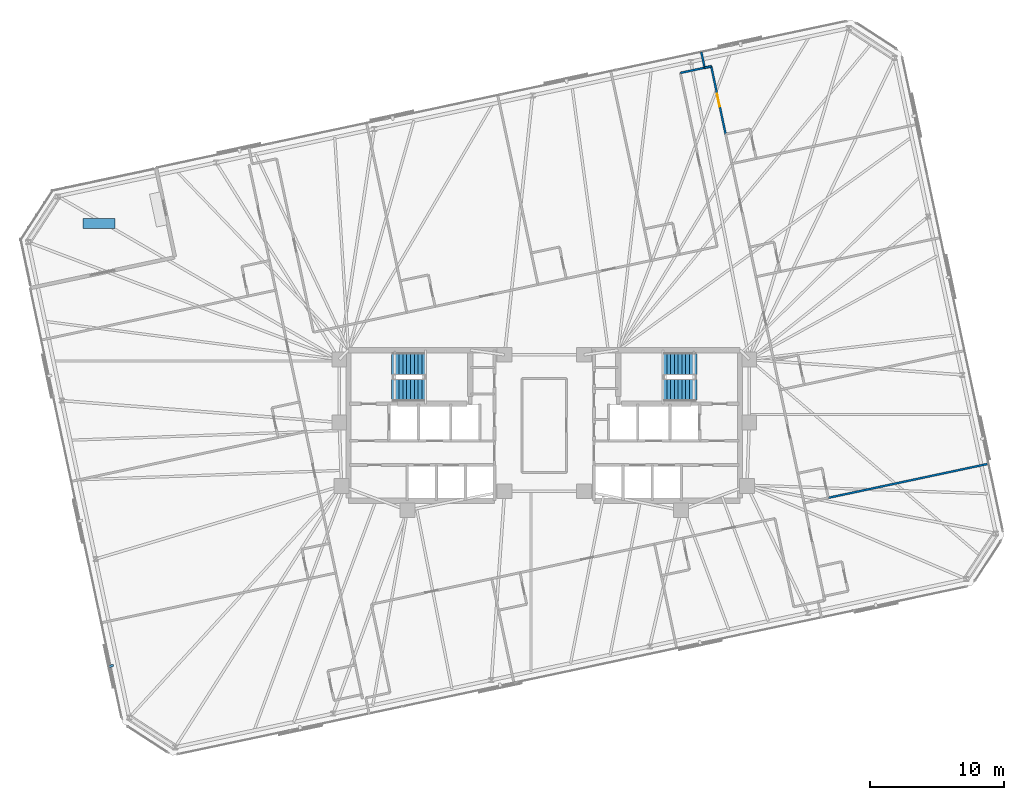
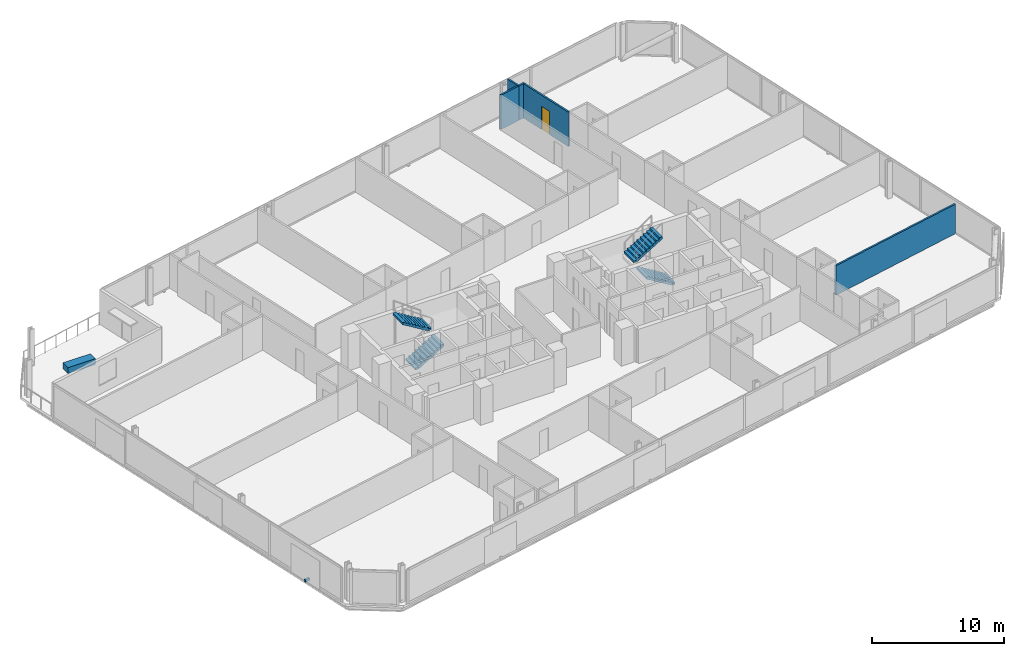
# One storey, part 18 of 20: 5 walls, 4 stair flights, 2 discrete accessories, 1 door, 1 opening, 2 elements without a shape of their own.
"""IFC4 building model written with IfcOpenShell, lengths in metres."""

from ifc_helpers import new_model, si_unit, direction, frame, frame_2d, origin, origin_2d, place, context, subcontext, project, spatial, polyline, rectangle, outline, extrude, material, layer, layer_set, type_object, element, fill, aggregate, save


model = new_model("IFC4")

# Units and contexts
model_context = context("Model", 3, precision=1e-05, world=origin(), true_north=direction((0.0, 1.0)))
body_context = subcontext(model_context, "Body", "Model", "MODEL_VIEW")
ifc_project = project(units=[si_unit("LENGTHUNIT", "METRE"), si_unit("AREAUNIT", "SQUARE_METRE"), si_unit("VOLUMEUNIT", "CUBIC_METRE"), si_unit("PLANEANGLEUNIT", "RADIAN"), si_unit("MASSUNIT", "GRAM", prefix="KILO")], contexts=[model_context])

# Site, building, storey
site_placement = place(None, origin())
site = spatial("IfcSite", under=ifc_project, at=site_placement, CompositionType="ELEMENT")
building_placement = place(site_placement, origin())
building = spatial("IfcBuilding", under=site, at=building_placement, Name="Menara Jurai Vektor", CompositionType="ELEMENT")
storey_placement = place(building_placement, frame((0.0, 0.0, 175.199951171875)))
storey = spatial("IfcBuildingStorey", under=building, at=storey_placement, Name="L45", CompositionType="ELEMENT", Elevation=175.199951171875)

# Walls
ifc_material_1 = material(Name="Gypsum Fireboard Partition", Category="gypsum")
ifc_layer_1 = layer(ifc_material_1, 0.14990234375)
ifc_layer_set_1 = layer_set([ifc_layer_1], Name="Gypsum Fireboard Partition")
wall_type_1 = type_object("IfcWallType", Name="INT-WALL-CORR-150", PredefinedType="PARTITIONING", material=ifc_layer_set_1)
wall_1_placement = place(storey_placement, frame((10.118408203125, 26.21435546875, 0.0), z_axis=(0.0, 0.0, 1.0), x_axis=(0.978133353907, 0.20797870558, 0.0)))
element("IfcWall", 1, at=wall_1_placement, inside=storey, type_object=wall_type_1, Name="Interior Wall IW-150 L45", PredefinedType="PARTITIONING", context=body_context, shape_type="SweptSolid", body=[
    extrude(rectangle(XDim=1.85009765625, YDim=0.14990234375, at=frame_2d((0.925048828125, 0.0))), origin(), (0.0, 0.0, 1.0), 3.175048828125),
])
wall_2_placement = place(storey_placement, frame((11.927978515625, 26.59912109375, 0.0), z_axis=(0.0, 0.0, 1.0), x_axis=(0.97822210712, 0.207560856478, 0.0)))
element("IfcWall", 2, at=wall_2_placement, inside=storey, type_object=wall_type_1, Name="Interior Wall IW-150 L45", PredefinedType="PARTITIONING", context=body_context, shape_type="SweptSolid", body=[
    extrude(rectangle(XDim=0.5, YDim=0.14990234375, at=frame_2d((0.25, 0.0))), origin(), (0.0, 0.0, 1.0), 3.175048828125),
])

# Wall, opening, door
wall_3_placement = place(storey_placement, frame((13.48779296875, 21.66552734375, 0.0), z_axis=(0.0, 0.0, 1.0), x_axis=(-0.207926226209, 0.978144511028, 0.0)))
wall_3 = element("IfcWall", 3, at=wall_3_placement, inside=storey, type_object=wall_type_1, Name="Interior Wall IW-150 L45", PredefinedType="PARTITIONING", context=body_context, shape_type="SweptSolid", body=[
    extrude(rectangle(XDim=5.14990234375, YDim=0.14990234375, at=frame_2d((2.574951171875, 0.0))), origin(), (0.0, 0.0, 1.0), 3.175048828125),
])
opening_placement = place(wall_3_placement, frame((2.10009765625, 0.0, 0.0)))
opening = element("IfcOpeningElement", 4, at=opening_placement, cuts=wall_3, Name="Opening D45-37", PredefinedType="OPENING", context=body_context, shape_type="SweptSolid", body=[
    extrude(rectangle(XDim=0.949951171875, YDim=2.14990234375, at=frame_2d((0.47509765625, 1.074951171875))), frame((0.0, 0.0849609375, 0.0), z_axis=(0.0, -1.0, 0.0), x_axis=(1.0, 0.0, 0.0)), (0.0, 0.0, 1.0), 0.169921875),
])
ifc_material_2 = material(Name="Solid Core Timber Fire Door", Category="wood")
door_type = type_object("IfcDoorType", Name="DR-ENTRY-950", OperationType="NOTDEFINED", PredefinedType="DOOR", material=ifc_material_2)
door_placement = place(opening_placement, origin())
door = element("IfcDoor", 5, at=door_placement, inside=storey, type_object=door_type, Name="Interior Door D45-37", OperationType="SINGLE_SWING_RIGHT", OverallHeight=2.14990234375, OverallWidth=0.949951171875, PredefinedType="DOOR", context=body_context, shape_type="SweptSolid", body=[
    extrude(rectangle(XDim=0.949951171875, YDim=2.14990234375, at=frame_2d((0.47509765625, 1.074951171875))), frame((0.0, 0.02490234375, 0.0), z_axis=(0.0, -1.0, 0.0), x_axis=(1.0, 0.0, 0.0)), (0.0, 0.0, 1.0), 0.050048828125),
])
fill(opening, door)

# Walls
wall_4_placement = place(storey_placement, frame((11.927978515625, 26.59912109375, 0.0), z_axis=(0.0, 0.0, 1.0), x_axis=(-0.20795853359, 0.978137642823, 0.0)))
element("IfcWall", 6, at=wall_4_placement, inside=storey, type_object=wall_type_1, Name="Interior Wall IW-150 L45", PredefinedType="PARTITIONING", context=body_context, shape_type="SweptSolid", body=[
    extrude(rectangle(XDim=1.19970703125, YDim=0.14990234375, at=frame_2d((0.599853515625, 0.0))), origin(), (0.0, 0.0, 1.0), 3.175048828125),
])
ifc_layer_2 = layer(ifc_material_1, 0.14990234375)
ifc_layer_set_2 = layer_set([ifc_layer_2], Name="Gypsum Fireboard Partition")
wall_type_2 = type_object("IfcWallType", Name="INT-WALL-CORR-150-H1", PredefinedType="PARTITIONING", material=ifc_layer_set_2)
wall_5_placement = place(storey_placement, frame((21.12939453125, -5.386962890625, 0.0), z_axis=(0.0, 0.0, 1.0), x_axis=(0.97814556055, 0.207921288896, 0.0)))
element("IfcWall", 7, at=wall_5_placement, inside=storey, type_object=wall_type_2, Name="Interior Wall IW-150 L45", PredefinedType="PARTITIONING", context=body_context, shape_type="SweptSolid", body=[
    extrude(rectangle(XDim=12.18701171875, YDim=0.14990234375, at=frame_2d((6.093505859375, 0.0))), origin(), (0.0, 0.0, 1.0), 2.72509765625),
])

# Stair, stair flights
ifc_material_3 = material(Name="Concrete C40/50", Category="concrete")
stair_type = type_object("IfcStairType", Name="STAIR-DOGLEG-1500", PredefinedType="HALF_TURN_STAIR", material=ifc_material_3)
stair_1_placement = place(storey_placement, origin())
stair_1 = element("IfcStair", 8, at=stair_1_placement, inside=storey, type_object=stair_type, Name="Protected Exit Stair ST1 L45", PredefinedType="HALF_TURN_STAIR")
stair_flight_type = type_object("IfcStairFlightType", Name="STAIR-FLIGHT-1500", PredefinedType="STRAIGHT", material=ifc_material_3)
stair_flight_1_placement = place(storey_placement, frame((-11.35009765625, 2.64990234375, 0.0), z_axis=(0.0, 0.0, 1.0), x_axis=(1.0, 0.0, 0.0)))
stair_flight_1 = element("IfcStairFlight", 9, at=stair_flight_1_placement, type_object=stair_flight_type, Name="ST1 flight 1", NumberOfRisers=10, NumberOfTreads=9, PredefinedType="STRAIGHT", RiserHeight=0.17, TreadLength=0.28, context=body_context, shape_type="SweptSolid", body=[
    extrude(outline(polyline([(0.0, 0.0), (0.0, 0.169921875), (0.280029296875, 0.169921875), (0.280029296875, 0.340087890625), (0.56005859375, 0.340087890625), (0.56005859375, 0.510009765625), (0.840087890625, 0.510009765625), (0.840087890625, 0.679931640625), (1.1201171875, 0.679931640625), (1.1201171875, 0.85009765625), (1.39990234375, 0.85009765625), (1.39990234375, 1.02001953125), (1.679931640625, 1.02001953125), (1.679931640625, 1.18994140625), (1.9599609375, 1.18994140625), (1.9599609375, 1.360107421875), (2.239990234375, 1.360107421875), (2.239990234375, 1.530029296875), (2.52001953125, 1.530029296875), (2.52001953125, 1.699951171875), (2.52001953125, 1.343017578125), (0.30810546875, 0.0), (0.0, 0.0)])), frame((0.0, 0.75, 0.0), z_axis=(0.0, -1.0, 0.0), x_axis=(1.0, 0.0, 0.0)), (0.0, 0.0, 1.0), 1.5),
])
stair_flight_2_placement = place(storey_placement, frame((-8.830078125, 4.550048828125, 1.699951171875), z_axis=(0.0, 0.0, 1.0), x_axis=(-1.0, 0.0, 0.0)))
stair_flight_2 = element("IfcStairFlight", 10, at=stair_flight_2_placement, type_object=stair_flight_type, Name="ST1 flight 2", NumberOfRisers=10, NumberOfTreads=9, PredefinedType="STRAIGHT", RiserHeight=0.17, TreadLength=0.28, context=body_context, shape_type="SweptSolid", body=[
    extrude(outline(polyline([(0.0, 0.0), (0.0, 0.169921875), (0.280029296875, 0.169921875), (0.280029296875, 0.340087890625), (0.56005859375, 0.340087890625), (0.56005859375, 0.510009765625), (0.840087890625, 0.510009765625), (0.840087890625, 0.679931640625), (1.1201171875, 0.679931640625), (1.1201171875, 0.85009765625), (1.39990234375, 0.85009765625), (1.39990234375, 1.02001953125), (1.679931640625, 1.02001953125), (1.679931640625, 1.18994140625), (1.9599609375, 1.18994140625), (1.9599609375, 1.360107421875), (2.239990234375, 1.360107421875), (2.239990234375, 1.530029296875), (2.52001953125, 1.530029296875), (2.52001953125, 1.699951171875), (2.52001953125, 1.343017578125), (0.30810546875, 0.0), (0.0, 0.0)])), frame((0.0, 0.75, 0.0), z_axis=(0.0, -1.0, 0.0), x_axis=(1.0, 0.0, 0.0)), (0.0, 0.0, 1.0), 1.5),
])
aggregate(stair_1, [stair_flight_1, stair_flight_2])

stair_2_placement = place(storey_placement, origin())
stair_2 = element("IfcStair", 11, at=stair_2_placement, inside=storey, type_object=stair_type, Name="Protected Exit Stair ST2 L45", PredefinedType="HALF_TURN_STAIR")
stair_flight_3_placement = place(storey_placement, frame((11.35009765625, 2.64990234375, 0.0), z_axis=(0.0, 0.0, 1.0), x_axis=(-1.0, 0.0, 0.0)))
stair_flight_3 = element("IfcStairFlight", 12, at=stair_flight_3_placement, type_object=stair_flight_type, Name="ST2 flight 1", NumberOfRisers=10, NumberOfTreads=9, PredefinedType="STRAIGHT", RiserHeight=0.17, TreadLength=0.28, context=body_context, shape_type="SweptSolid", body=[
    extrude(outline(polyline([(0.0, 0.0), (0.0, 0.169921875), (0.280029296875, 0.169921875), (0.280029296875, 0.340087890625), (0.56005859375, 0.340087890625), (0.56005859375, 0.510009765625), (0.840087890625, 0.510009765625), (0.840087890625, 0.679931640625), (1.1201171875, 0.679931640625), (1.1201171875, 0.85009765625), (1.39990234375, 0.85009765625), (1.39990234375, 1.02001953125), (1.679931640625, 1.02001953125), (1.679931640625, 1.18994140625), (1.9599609375, 1.18994140625), (1.9599609375, 1.360107421875), (2.239990234375, 1.360107421875), (2.239990234375, 1.530029296875), (2.52001953125, 1.530029296875), (2.52001953125, 1.699951171875), (2.52001953125, 1.343017578125), (0.30810546875, 0.0), (0.0, 0.0)])), frame((0.0, 0.75, 0.0), z_axis=(0.0, -1.0, 0.0), x_axis=(1.0, 0.0, 0.0)), (0.0, 0.0, 1.0), 1.5),
])
stair_flight_4_placement = place(storey_placement, frame((8.830078125, 4.550048828125, 1.699951171875), z_axis=(0.0, 0.0, 1.0), x_axis=(1.0, 0.0, 0.0)))
stair_flight_4 = element("IfcStairFlight", 13, at=stair_flight_4_placement, type_object=stair_flight_type, Name="ST2 flight 2", NumberOfRisers=10, NumberOfTreads=9, PredefinedType="STRAIGHT", RiserHeight=0.17, TreadLength=0.28, context=body_context, shape_type="SweptSolid", body=[
    extrude(outline(polyline([(0.0, 0.0), (0.0, 0.169921875), (0.280029296875, 0.169921875), (0.280029296875, 0.340087890625), (0.56005859375, 0.340087890625), (0.56005859375, 0.510009765625), (0.840087890625, 0.510009765625), (0.840087890625, 0.679931640625), (1.1201171875, 0.679931640625), (1.1201171875, 0.85009765625), (1.39990234375, 0.85009765625), (1.39990234375, 1.02001953125), (1.679931640625, 1.02001953125), (1.679931640625, 1.18994140625), (1.9599609375, 1.18994140625), (1.9599609375, 1.360107421875), (2.239990234375, 1.360107421875), (2.239990234375, 1.530029296875), (2.52001953125, 1.530029296875), (2.52001953125, 1.699951171875), (2.52001953125, 1.343017578125), (0.30810546875, 0.0), (0.0, 0.0)])), frame((0.0, 0.75, 0.0), z_axis=(0.0, -1.0, 0.0), x_axis=(1.0, 0.0, 0.0)), (0.0, 0.0, 1.0), 1.5),
])
aggregate(stair_2, [stair_flight_3, stair_flight_4])

# Discrete accessories
ifc_material_4 = material(Name="Steel S355", Category="steel")
discrete_accessory_type_1 = type_object("IfcDiscreteAccessoryType", Name="ENV-ACC-BRACKET", PredefinedType="BRACKET", material=ifc_material_4)
discrete_accessory_1_placement = place(storey_placement, frame((-32.25830078125, -17.902099609375, -0.1298828125), z_axis=(0.0, 0.0, 1.0), x_axis=(0.207911690818, -0.978147600734, 0.0)))
element("IfcDiscreteAccessory", 14, at=discrete_accessory_1_placement, inside=storey, type_object=discrete_accessory_type_1, Name="Solar Screen Stand-Off Bracket L45-S03", PredefinedType="BRACKET", context=body_context, shape_type="SweptSolid", body=[
    extrude(rectangle(XDim=0.179931640625, YDim=0.43994140625, at=origin_2d()), origin(), (0.0, 0.0, 1.0), 0.219970703125),
])
ifc_material_5 = material(Name="Concrete C40/50 precast", Category="concrete")
discrete_accessory_type_2 = type_object("IfcDiscreteAccessoryType", Name="ENV-ACC-PLANTER", PredefinedType="USERDEFINED", material=ifc_material_5)
discrete_accessory_2_placement = place(storey_placement, frame((-33.12451171875, 15.019287109375, 0.0), z_axis=(0.0, 0.0, 1.0), x_axis=(1.0, 0.0, 0.0)))
element("IfcDiscreteAccessory", 15, at=discrete_accessory_2_placement, inside=storey, type_object=discrete_accessory_type_2, Name="Spiral Terrace Planter Box L45-CRN", ObjectType="PLANTER", PredefinedType="USERDEFINED", context=body_context, shape_type="SweptSolid", body=[
    extrude(rectangle(XDim=2.39990234375, YDim=0.75, at=origin_2d()), origin(), (0.0, 0.0, 1.0), 0.550048828125),
])

save(model, "model.ifc")
